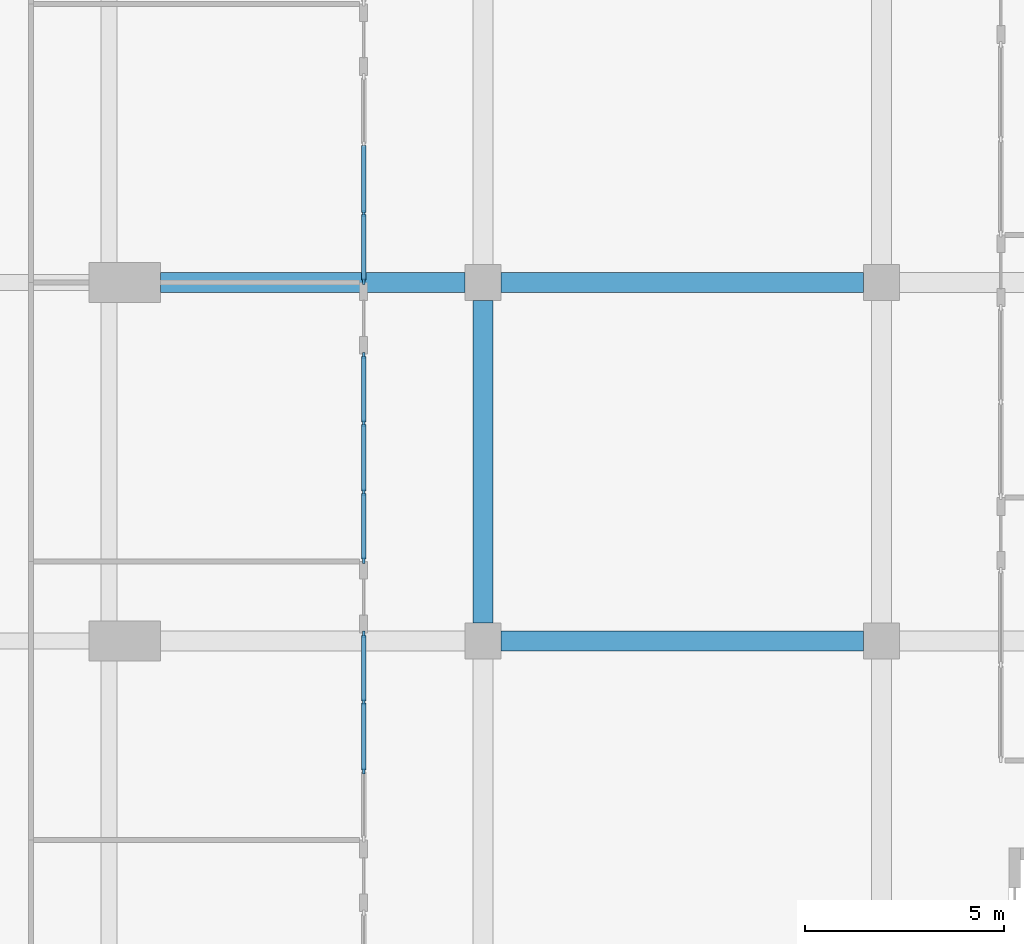
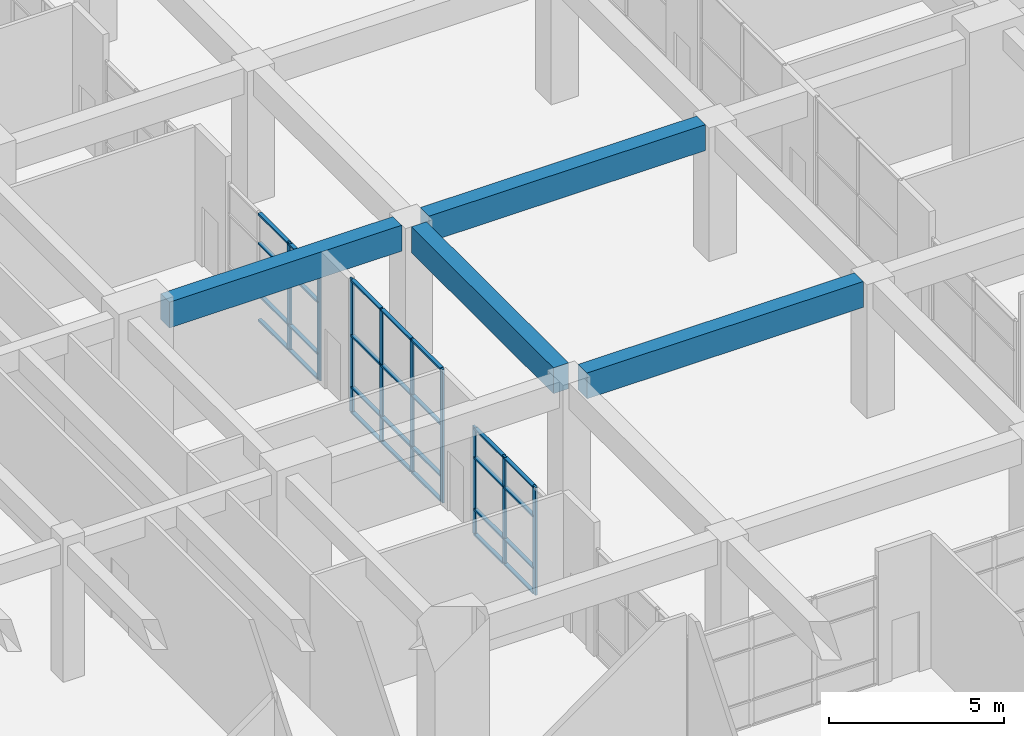
# One storey, part 5 of 29: 37 members, 4 beams, 3 elements without a shape of their own.
"""IFC4 building model written with IfcOpenShell, lengths in metres."""

from ifc_helpers import new_model, si_unit, direction, frame, origin, origin_2d, place, context, subcontext, project, spatial, rectangle, extrude, material, material_profile, profile_set, type_object, element, aggregate, save


model = new_model("IFC4")

# Units and contexts
model_context = context("Model", 3, precision=1e-05, world=origin(), true_north=direction((0.0, 1.0)))
body_context = subcontext(model_context, "Body", "Model", "MODEL_VIEW")
ifc_project = project(units=[si_unit("LENGTHUNIT", "METRE"), si_unit("AREAUNIT", "SQUARE_METRE"), si_unit("VOLUMEUNIT", "CUBIC_METRE"), si_unit("PLANEANGLEUNIT", "RADIAN"), si_unit("MASSUNIT", "GRAM", prefix="KILO")], contexts=[model_context])

# Site, building, storey
site_placement = place(None, origin())
site = spatial("IfcSite", under=ifc_project, at=site_placement, CompositionType="ELEMENT")
building_placement = place(site_placement, origin())
building = spatial("IfcBuilding", under=site, at=building_placement, Name="Elmora Arch Market Hall", CompositionType="ELEMENT")
storey_placement = place(building_placement, frame((0.0, 0.0, -5.0)))
storey = spatial("IfcBuildingStorey", under=building, at=storey_placement, Name="LG", CompositionType="ELEMENT", Elevation=-5.0)

# Beams
ifc_material_1 = material(Name="Concrete C32/40", Category="concrete")
ifc_material_profile_1 = material_profile(ifc_material_1, rectangle(XDim=0.5, YDim=0.89990234375, at=origin_2d()), Name="Basement girder 500x900")
ifc_profile_set_1 = profile_set([ifc_material_profile_1], Name="Concrete C32/40")
beam_type = type_object("IfcBeamType", Name="Basement girder 500x900", PredefinedType="BEAM", material=ifc_profile_set_1)
beam_1_placement = place(storey_placement, frame((24.449951171875, 54.0, 4.199951171875), z_axis=(1.0, 0.0, 0.0), x_axis=(0.0, 1.0, 0.0)))
element("IfcBeam", 1, at=beam_1_placement, inside=storey, type_object=beam_type, Name="Basement girder HR4 LG.2", PredefinedType="BEAM", context=body_context, shape_type="SweptSolid", body=[
    extrude(rectangle(XDim=0.5, YDim=0.89990234375, at=origin_2d()), origin(), (0.0, 0.0, 1.0), 9.10009765625),
])
beam_2_placement = place(storey_placement, frame((15.89990234375, 63.0, 4.199951171875), z_axis=(1.0, 0.0, 0.0), x_axis=(0.0, 1.0, 0.0)))
element("IfcBeam", 2, at=beam_2_placement, inside=storey, type_object=beam_type, Name="Basement girder HR5 LG.1", PredefinedType="BEAM", context=body_context, shape_type="SweptSolid", body=[
    extrude(rectangle(XDim=0.5, YDim=0.89990234375, at=origin_2d()), origin(), (0.0, 0.0, 1.0), 7.650146484375),
])
beam_3_placement = place(storey_placement, frame((24.449951171875, 63.0, 4.199951171875), z_axis=(1.0, 0.0, 0.0), x_axis=(0.0, 1.0, 0.0)))
element("IfcBeam", 3, at=beam_3_placement, inside=storey, type_object=beam_type, Name="Basement girder HR5 LG.2", PredefinedType="BEAM", context=body_context, shape_type="SweptSolid", body=[
    extrude(rectangle(XDim=0.5, YDim=0.89990234375, at=origin_2d()), origin(), (0.0, 0.0, 1.0), 9.10009765625),
])
beam_4_placement = place(storey_placement, frame((24.0, 54.449951171875, 4.199951171875), z_axis=(0.0, 1.0, 0.0), x_axis=(-1.0, 0.0, 0.0)))
element("IfcBeam", 4, at=beam_4_placement, inside=storey, type_object=beam_type, Name="Basement girder HC1 LG.4", PredefinedType="BEAM", context=body_context, shape_type="SweptSolid", body=[
    extrude(rectangle(XDim=0.5, YDim=0.89990234375, at=origin_2d()), origin(), (0.0, 0.0, 1.0), 8.10009765625),
])

# Curtain wall, members
ifc_material_2 = material(Name="Aluminium", Category="aluminium")
curtain_wall_type = type_object("IfcCurtainWallType", Name="Lower ground shopfront curtain wall", PredefinedType="NOTDEFINED", material=ifc_material_2)
curtain_wall_1_placement = place(storey_placement, origin())
curtain_wall_1 = element("IfcCurtainWall", 5, at=curtain_wall_1_placement, inside=storey, type_object=curtain_wall_type, Name="Lower ground shopfront W2", PredefinedType="NOTDEFINED")
ifc_material_3 = material(Name="Aluminium", Category="aluminium")
ifc_material_profile_2 = material_profile(ifc_material_3, rectangle(XDim=0.06005859375, YDim=0.159912109375, at=origin_2d()), Name="AL 60x160")
ifc_profile_set_2 = profile_set([ifc_material_profile_2], Name="Aluminium")
member_type_1 = type_object("IfcMemberType", Name="Mullion 60x160", PredefinedType="MULLION", material=ifc_profile_set_2)
member_1_placement = place(storey_placement, frame((21.0, 50.7333984375, 0.0), z_axis=(0.0, 0.0, 1.0), x_axis=(-1.0, 0.0, 0.0)))
member_1 = element("IfcMember", 6, at=member_1_placement, type_object=member_type_1, Name="CW6 mullion 2", PredefinedType="MULLION", context=body_context, shape_type="SweptSolid", body=[
    extrude(rectangle(XDim=0.06005859375, YDim=0.159912109375, at=origin_2d()), origin(), (0.0, 0.0, 1.0), 3.75),
])
member_2_placement = place(storey_placement, frame((21.0, 52.466552734375, 0.0), z_axis=(0.0, 0.0, 1.0), x_axis=(-1.0, 0.0, 0.0)))
member_2 = element("IfcMember", 7, at=member_2_placement, type_object=member_type_1, Name="CW6 mullion 3", PredefinedType="MULLION", context=body_context, shape_type="SweptSolid", body=[
    extrude(rectangle(XDim=0.06005859375, YDim=0.159912109375, at=origin_2d()), origin(), (0.0, 0.0, 1.0), 3.75),
])
member_3_placement = place(storey_placement, frame((21.0, 54.169921875, 0.0), z_axis=(0.0, 0.0, 1.0), x_axis=(-1.0, 0.0, 0.0)))
member_3 = element("IfcMember", 8, at=member_3_placement, type_object=member_type_1, Name="CW6 mullion 4", PredefinedType="MULLION", context=body_context, shape_type="SweptSolid", body=[
    extrude(rectangle(XDim=0.06005859375, YDim=0.159912109375, at=origin_2d()), origin(), (0.0, 0.0, 1.0), 3.75),
])

curtain_wall_2_placement = place(storey_placement, origin())
curtain_wall_2 = element("IfcCurtainWall", 9, at=curtain_wall_2_placement, inside=storey, type_object=curtain_wall_type, Name="Lower ground shopfront W3", PredefinedType="NOTDEFINED")
member_4_placement = place(storey_placement, frame((21.0, 56.030029296875, 0.0), z_axis=(0.0, 0.0, 1.0), x_axis=(-1.0, 0.0, 0.0)))
member_4 = element("IfcMember", 10, at=member_4_placement, type_object=member_type_1, Name="CW6 mullion 1", PredefinedType="MULLION", context=body_context, shape_type="SweptSolid", body=[
    extrude(rectangle(XDim=0.06005859375, YDim=0.159912109375, at=origin_2d()), origin(), (0.0, 0.0, 1.0), 4.64990234375),
])
member_5_placement = place(storey_placement, frame((21.0, 57.7333984375, 0.0), z_axis=(0.0, 0.0, 1.0), x_axis=(-1.0, 0.0, 0.0)))
member_5 = element("IfcMember", 11, at=member_5_placement, type_object=member_type_1, Name="CW6 mullion 2", PredefinedType="MULLION", context=body_context, shape_type="SweptSolid", body=[
    extrude(rectangle(XDim=0.06005859375, YDim=0.159912109375, at=origin_2d()), origin(), (0.0, 0.0, 1.0), 4.64990234375),
])
member_6_placement = place(storey_placement, frame((21.0, 59.466552734375, 0.0), z_axis=(0.0, 0.0, 1.0), x_axis=(-1.0, 0.0, 0.0)))
member_6 = element("IfcMember", 12, at=member_6_placement, type_object=member_type_1, Name="CW6 mullion 3", PredefinedType="MULLION", context=body_context, shape_type="SweptSolid", body=[
    extrude(rectangle(XDim=0.06005859375, YDim=0.159912109375, at=origin_2d()), origin(), (0.0, 0.0, 1.0), 4.64990234375),
])
member_7_placement = place(storey_placement, frame((21.0, 61.169921875, 0.0), z_axis=(0.0, 0.0, 1.0), x_axis=(-1.0, 0.0, 0.0)))
member_7 = element("IfcMember", 13, at=member_7_placement, type_object=member_type_1, Name="CW6 mullion 4", PredefinedType="MULLION", context=body_context, shape_type="SweptSolid", body=[
    extrude(rectangle(XDim=0.06005859375, YDim=0.159912109375, at=origin_2d()), origin(), (0.0, 0.0, 1.0), 4.64990234375),
])

curtain_wall_3_placement = place(storey_placement, origin())
curtain_wall_3 = element("IfcCurtainWall", 14, at=curtain_wall_3_placement, inside=storey, type_object=curtain_wall_type, Name="Lower ground shopfront W4", PredefinedType="NOTDEFINED")
member_8_placement = place(storey_placement, frame((21.0, 63.030029296875, 0.0), z_axis=(0.0, 0.0, 1.0), x_axis=(-1.0, 0.0, 0.0)))
member_8 = element("IfcMember", 15, at=member_8_placement, type_object=member_type_1, Name="CW6 mullion 1", PredefinedType="MULLION", context=body_context, shape_type="SweptSolid", body=[
    extrude(rectangle(XDim=0.06005859375, YDim=0.159912109375, at=origin_2d()), origin(), (0.0, 0.0, 1.0), 3.75),
])
member_9_placement = place(storey_placement, frame((21.0, 64.7333984375, 0.0), z_axis=(0.0, 0.0, 1.0), x_axis=(-1.0, 0.0, 0.0)))
member_9 = element("IfcMember", 16, at=member_9_placement, type_object=member_type_1, Name="CW6 mullion 2", PredefinedType="MULLION", context=body_context, shape_type="SweptSolid", body=[
    extrude(rectangle(XDim=0.06005859375, YDim=0.159912109375, at=origin_2d()), origin(), (0.0, 0.0, 1.0), 3.75),
])

# Member
ifc_material_4 = material(Name="Aluminium", Category="aluminium")
ifc_material_profile_3 = material_profile(ifc_material_4, rectangle(XDim=0.1201171875, YDim=0.06005859375, at=origin_2d()), Name="AL 120x60")
ifc_profile_set_3 = profile_set([ifc_material_profile_3], Name="Aluminium")
member_type_2 = type_object("IfcMemberType", Name="Transom 120x60", PredefinedType="USERDEFINED", material=ifc_profile_set_3)
member_10_placement = place(storey_placement, frame((21.0, 50.763427734375, 0.030029296875), z_axis=(0.0, 1.0, 0.0), x_axis=(-1.0, 0.0, 0.0)))
member_10 = element("IfcMember", 17, at=member_10_placement, type_object=member_type_2, Name="CW6 transom 2.1", ObjectType="TRANSOM", PredefinedType="USERDEFINED", context=body_context, shape_type="SweptSolid", body=[
    extrude(rectangle(XDim=0.1201171875, YDim=0.06005859375, at=origin_2d()), origin(), (0.0, 0.0, 1.0), 1.67333984375),
])

member_11_placement = place(storey_placement, frame((21.0, 50.763427734375, 0.89990234375), z_axis=(0.0, 1.0, 0.0), x_axis=(-1.0, 0.0, 0.0)))
member_11 = element("IfcMember", 18, at=member_11_placement, type_object=member_type_2, Name="CW6 transom 2.2", ObjectType="TRANSOM", PredefinedType="USERDEFINED", context=body_context, shape_type="SweptSolid", body=[
    extrude(rectangle(XDim=0.1201171875, YDim=0.06005859375, at=origin_2d()), origin(), (0.0, 0.0, 1.0), 1.67333984375),
])

member_12_placement = place(storey_placement, frame((21.0, 50.763427734375, 2.699951171875), z_axis=(0.0, 1.0, 0.0), x_axis=(-1.0, 0.0, 0.0)))
member_12 = element("IfcMember", 19, at=member_12_placement, type_object=member_type_2, Name="CW6 transom 2.3", ObjectType="TRANSOM", PredefinedType="USERDEFINED", context=body_context, shape_type="SweptSolid", body=[
    extrude(rectangle(XDim=0.1201171875, YDim=0.06005859375, at=origin_2d()), origin(), (0.0, 0.0, 1.0), 1.67333984375),
])

member_13_placement = place(storey_placement, frame((21.0, 50.763427734375, 3.719970703125), z_axis=(0.0, 1.0, 0.0), x_axis=(-1.0, 0.0, 0.0)))
member_13 = element("IfcMember", 20, at=member_13_placement, type_object=member_type_2, Name="CW6 transom 2.4", ObjectType="TRANSOM", PredefinedType="USERDEFINED", context=body_context, shape_type="SweptSolid", body=[
    extrude(rectangle(XDim=0.1201171875, YDim=0.06005859375, at=origin_2d()), origin(), (0.0, 0.0, 1.0), 1.67333984375),
])

member_14_placement = place(storey_placement, frame((21.0, 52.49658203125, 0.030029296875), z_axis=(0.0, 1.0, 0.0), x_axis=(-1.0, 0.0, 0.0)))
member_14 = element("IfcMember", 21, at=member_14_placement, type_object=member_type_2, Name="CW6 transom 3.1", ObjectType="TRANSOM", PredefinedType="USERDEFINED", context=body_context, shape_type="SweptSolid", body=[
    extrude(rectangle(XDim=0.1201171875, YDim=0.06005859375, at=origin_2d()), origin(), (0.0, 0.0, 1.0), 1.643310546875),
])

member_15_placement = place(storey_placement, frame((21.0, 52.49658203125, 0.89990234375), z_axis=(0.0, 1.0, 0.0), x_axis=(-1.0, 0.0, 0.0)))
member_15 = element("IfcMember", 22, at=member_15_placement, type_object=member_type_2, Name="CW6 transom 3.2", ObjectType="TRANSOM", PredefinedType="USERDEFINED", context=body_context, shape_type="SweptSolid", body=[
    extrude(rectangle(XDim=0.1201171875, YDim=0.06005859375, at=origin_2d()), origin(), (0.0, 0.0, 1.0), 1.643310546875),
])

member_16_placement = place(storey_placement, frame((21.0, 52.49658203125, 2.699951171875), z_axis=(0.0, 1.0, 0.0), x_axis=(-1.0, 0.0, 0.0)))
member_16 = element("IfcMember", 23, at=member_16_placement, type_object=member_type_2, Name="CW6 transom 3.3", ObjectType="TRANSOM", PredefinedType="USERDEFINED", context=body_context, shape_type="SweptSolid", body=[
    extrude(rectangle(XDim=0.1201171875, YDim=0.06005859375, at=origin_2d()), origin(), (0.0, 0.0, 1.0), 1.643310546875),
])

member_17_placement = place(storey_placement, frame((21.0, 52.49658203125, 3.719970703125), z_axis=(0.0, 1.0, 0.0), x_axis=(-1.0, 0.0, 0.0)))
member_17 = element("IfcMember", 24, at=member_17_placement, type_object=member_type_2, Name="CW6 transom 3.4", ObjectType="TRANSOM", PredefinedType="USERDEFINED", context=body_context, shape_type="SweptSolid", body=[
    extrude(rectangle(XDim=0.1201171875, YDim=0.06005859375, at=origin_2d()), origin(), (0.0, 0.0, 1.0), 1.643310546875),
])

aggregate(curtain_wall_1, [member_1, member_2, member_3, member_10, member_11, member_12, member_13, member_14, member_15, member_16, member_17])

member_18_placement = place(storey_placement, frame((21.0, 56.06005859375, 0.030029296875), z_axis=(0.0, 1.0, 0.0), x_axis=(-1.0, 0.0, 0.0)))
member_18 = element("IfcMember", 25, at=member_18_placement, type_object=member_type_2, Name="CW6 transom 1.1", ObjectType="TRANSOM", PredefinedType="USERDEFINED", context=body_context, shape_type="SweptSolid", body=[
    extrude(rectangle(XDim=0.1201171875, YDim=0.06005859375, at=origin_2d()), origin(), (0.0, 0.0, 1.0), 1.643310546875),
])

member_19_placement = place(storey_placement, frame((21.0, 56.06005859375, 0.89990234375), z_axis=(0.0, 1.0, 0.0), x_axis=(-1.0, 0.0, 0.0)))
member_19 = element("IfcMember", 26, at=member_19_placement, type_object=member_type_2, Name="CW6 transom 1.2", ObjectType="TRANSOM", PredefinedType="USERDEFINED", context=body_context, shape_type="SweptSolid", body=[
    extrude(rectangle(XDim=0.1201171875, YDim=0.06005859375, at=origin_2d()), origin(), (0.0, 0.0, 1.0), 1.643310546875),
])

member_20_placement = place(storey_placement, frame((21.0, 56.06005859375, 2.699951171875), z_axis=(0.0, 1.0, 0.0), x_axis=(-1.0, 0.0, 0.0)))
member_20 = element("IfcMember", 27, at=member_20_placement, type_object=member_type_2, Name="CW6 transom 1.3", ObjectType="TRANSOM", PredefinedType="USERDEFINED", context=body_context, shape_type="SweptSolid", body=[
    extrude(rectangle(XDim=0.1201171875, YDim=0.06005859375, at=origin_2d()), origin(), (0.0, 0.0, 1.0), 1.643310546875),
])

member_21_placement = place(storey_placement, frame((21.0, 56.06005859375, 4.6201171875), z_axis=(0.0, 1.0, 0.0), x_axis=(-1.0, 0.0, 0.0)))
member_21 = element("IfcMember", 28, at=member_21_placement, type_object=member_type_2, Name="CW6 transom 1.4", ObjectType="TRANSOM", PredefinedType="USERDEFINED", context=body_context, shape_type="SweptSolid", body=[
    extrude(rectangle(XDim=0.1201171875, YDim=0.06005859375, at=origin_2d()), origin(), (0.0, 0.0, 1.0), 1.643310546875),
])

member_22_placement = place(storey_placement, frame((21.0, 57.763427734375, 0.030029296875), z_axis=(0.0, 1.0, 0.0), x_axis=(-1.0, 0.0, 0.0)))
member_22 = element("IfcMember", 29, at=member_22_placement, type_object=member_type_2, Name="CW6 transom 2.1", ObjectType="TRANSOM", PredefinedType="USERDEFINED", context=body_context, shape_type="SweptSolid", body=[
    extrude(rectangle(XDim=0.1201171875, YDim=0.06005859375, at=origin_2d()), origin(), (0.0, 0.0, 1.0), 1.67333984375),
])

member_23_placement = place(storey_placement, frame((21.0, 57.763427734375, 0.89990234375), z_axis=(0.0, 1.0, 0.0), x_axis=(-1.0, 0.0, 0.0)))
member_23 = element("IfcMember", 30, at=member_23_placement, type_object=member_type_2, Name="CW6 transom 2.2", ObjectType="TRANSOM", PredefinedType="USERDEFINED", context=body_context, shape_type="SweptSolid", body=[
    extrude(rectangle(XDim=0.1201171875, YDim=0.06005859375, at=origin_2d()), origin(), (0.0, 0.0, 1.0), 1.67333984375),
])

member_24_placement = place(storey_placement, frame((21.0, 57.763427734375, 2.699951171875), z_axis=(0.0, 1.0, 0.0), x_axis=(-1.0, 0.0, 0.0)))
member_24 = element("IfcMember", 31, at=member_24_placement, type_object=member_type_2, Name="CW6 transom 2.3", ObjectType="TRANSOM", PredefinedType="USERDEFINED", context=body_context, shape_type="SweptSolid", body=[
    extrude(rectangle(XDim=0.1201171875, YDim=0.06005859375, at=origin_2d()), origin(), (0.0, 0.0, 1.0), 1.67333984375),
])

member_25_placement = place(storey_placement, frame((21.0, 57.763427734375, 4.6201171875), z_axis=(0.0, 1.0, 0.0), x_axis=(-1.0, 0.0, 0.0)))
member_25 = element("IfcMember", 32, at=member_25_placement, type_object=member_type_2, Name="CW6 transom 2.4", ObjectType="TRANSOM", PredefinedType="USERDEFINED", context=body_context, shape_type="SweptSolid", body=[
    extrude(rectangle(XDim=0.1201171875, YDim=0.06005859375, at=origin_2d()), origin(), (0.0, 0.0, 1.0), 1.67333984375),
])

member_26_placement = place(storey_placement, frame((21.0, 59.49658203125, 0.030029296875), z_axis=(0.0, 1.0, 0.0), x_axis=(-1.0, 0.0, 0.0)))
member_26 = element("IfcMember", 33, at=member_26_placement, type_object=member_type_2, Name="CW6 transom 3.1", ObjectType="TRANSOM", PredefinedType="USERDEFINED", context=body_context, shape_type="SweptSolid", body=[
    extrude(rectangle(XDim=0.1201171875, YDim=0.06005859375, at=origin_2d()), origin(), (0.0, 0.0, 1.0), 1.643310546875),
])

member_27_placement = place(storey_placement, frame((21.0, 59.49658203125, 0.89990234375), z_axis=(0.0, 1.0, 0.0), x_axis=(-1.0, 0.0, 0.0)))
member_27 = element("IfcMember", 34, at=member_27_placement, type_object=member_type_2, Name="CW6 transom 3.2", ObjectType="TRANSOM", PredefinedType="USERDEFINED", context=body_context, shape_type="SweptSolid", body=[
    extrude(rectangle(XDim=0.1201171875, YDim=0.06005859375, at=origin_2d()), origin(), (0.0, 0.0, 1.0), 1.643310546875),
])

member_28_placement = place(storey_placement, frame((21.0, 59.49658203125, 2.699951171875), z_axis=(0.0, 1.0, 0.0), x_axis=(-1.0, 0.0, 0.0)))
member_28 = element("IfcMember", 35, at=member_28_placement, type_object=member_type_2, Name="CW6 transom 3.3", ObjectType="TRANSOM", PredefinedType="USERDEFINED", context=body_context, shape_type="SweptSolid", body=[
    extrude(rectangle(XDim=0.1201171875, YDim=0.06005859375, at=origin_2d()), origin(), (0.0, 0.0, 1.0), 1.643310546875),
])

member_29_placement = place(storey_placement, frame((21.0, 59.49658203125, 4.6201171875), z_axis=(0.0, 1.0, 0.0), x_axis=(-1.0, 0.0, 0.0)))
member_29 = element("IfcMember", 36, at=member_29_placement, type_object=member_type_2, Name="CW6 transom 3.4", ObjectType="TRANSOM", PredefinedType="USERDEFINED", context=body_context, shape_type="SweptSolid", body=[
    extrude(rectangle(XDim=0.1201171875, YDim=0.06005859375, at=origin_2d()), origin(), (0.0, 0.0, 1.0), 1.643310546875),
])

aggregate(curtain_wall_2, [member_4, member_5, member_6, member_7, member_18, member_19, member_20, member_21, member_22, member_23, member_24, member_25, member_26, member_27, member_28, member_29])

member_30_placement = place(storey_placement, frame((21.0, 63.06005859375, 0.030029296875), z_axis=(0.0, 1.0, 0.0), x_axis=(-1.0, 0.0, 0.0)))
member_30 = element("IfcMember", 37, at=member_30_placement, type_object=member_type_2, Name="CW6 transom 1.1", ObjectType="TRANSOM", PredefinedType="USERDEFINED", context=body_context, shape_type="SweptSolid", body=[
    extrude(rectangle(XDim=0.1201171875, YDim=0.06005859375, at=origin_2d()), origin(), (0.0, 0.0, 1.0), 1.643310546875),
])

member_31_placement = place(storey_placement, frame((21.0, 63.06005859375, 0.89990234375), z_axis=(0.0, 1.0, 0.0), x_axis=(-1.0, 0.0, 0.0)))
member_31 = element("IfcMember", 38, at=member_31_placement, type_object=member_type_2, Name="CW6 transom 1.2", ObjectType="TRANSOM", PredefinedType="USERDEFINED", context=body_context, shape_type="SweptSolid", body=[
    extrude(rectangle(XDim=0.1201171875, YDim=0.06005859375, at=origin_2d()), origin(), (0.0, 0.0, 1.0), 1.643310546875),
])

member_32_placement = place(storey_placement, frame((21.0, 63.06005859375, 2.699951171875), z_axis=(0.0, 1.0, 0.0), x_axis=(-1.0, 0.0, 0.0)))
member_32 = element("IfcMember", 39, at=member_32_placement, type_object=member_type_2, Name="CW6 transom 1.3", ObjectType="TRANSOM", PredefinedType="USERDEFINED", context=body_context, shape_type="SweptSolid", body=[
    extrude(rectangle(XDim=0.1201171875, YDim=0.06005859375, at=origin_2d()), origin(), (0.0, 0.0, 1.0), 1.643310546875),
])

member_33_placement = place(storey_placement, frame((21.0, 63.06005859375, 3.719970703125), z_axis=(0.0, 1.0, 0.0), x_axis=(-1.0, 0.0, 0.0)))
member_33 = element("IfcMember", 40, at=member_33_placement, type_object=member_type_2, Name="CW6 transom 1.4", ObjectType="TRANSOM", PredefinedType="USERDEFINED", context=body_context, shape_type="SweptSolid", body=[
    extrude(rectangle(XDim=0.1201171875, YDim=0.06005859375, at=origin_2d()), origin(), (0.0, 0.0, 1.0), 1.643310546875),
])

member_34_placement = place(storey_placement, frame((21.0, 64.763427734375, 0.030029296875), z_axis=(0.0, 1.0, 0.0), x_axis=(-1.0, 0.0, 0.0)))
member_34 = element("IfcMember", 41, at=member_34_placement, type_object=member_type_2, Name="CW6 transom 2.1", ObjectType="TRANSOM", PredefinedType="USERDEFINED", context=body_context, shape_type="SweptSolid", body=[
    extrude(rectangle(XDim=0.1201171875, YDim=0.06005859375, at=origin_2d()), origin(), (0.0, 0.0, 1.0), 1.67333984375),
])

member_35_placement = place(storey_placement, frame((21.0, 64.763427734375, 0.89990234375), z_axis=(0.0, 1.0, 0.0), x_axis=(-1.0, 0.0, 0.0)))
member_35 = element("IfcMember", 42, at=member_35_placement, type_object=member_type_2, Name="CW6 transom 2.2", ObjectType="TRANSOM", PredefinedType="USERDEFINED", context=body_context, shape_type="SweptSolid", body=[
    extrude(rectangle(XDim=0.1201171875, YDim=0.06005859375, at=origin_2d()), origin(), (0.0, 0.0, 1.0), 1.67333984375),
])

member_36_placement = place(storey_placement, frame((21.0, 64.763427734375, 2.699951171875), z_axis=(0.0, 1.0, 0.0), x_axis=(-1.0, 0.0, 0.0)))
member_36 = element("IfcMember", 43, at=member_36_placement, type_object=member_type_2, Name="CW6 transom 2.3", ObjectType="TRANSOM", PredefinedType="USERDEFINED", context=body_context, shape_type="SweptSolid", body=[
    extrude(rectangle(XDim=0.1201171875, YDim=0.06005859375, at=origin_2d()), origin(), (0.0, 0.0, 1.0), 1.67333984375),
])

member_37_placement = place(storey_placement, frame((21.0, 64.763427734375, 3.719970703125), z_axis=(0.0, 1.0, 0.0), x_axis=(-1.0, 0.0, 0.0)))
member_37 = element("IfcMember", 44, at=member_37_placement, type_object=member_type_2, Name="CW6 transom 2.4", ObjectType="TRANSOM", PredefinedType="USERDEFINED", context=body_context, shape_type="SweptSolid", body=[
    extrude(rectangle(XDim=0.1201171875, YDim=0.06005859375, at=origin_2d()), origin(), (0.0, 0.0, 1.0), 1.67333984375),
])

aggregate(curtain_wall_3, [member_8, member_9, member_30, member_31, member_32, member_33, member_34, member_35, member_36, member_37])

save(model, "model.ifc")
